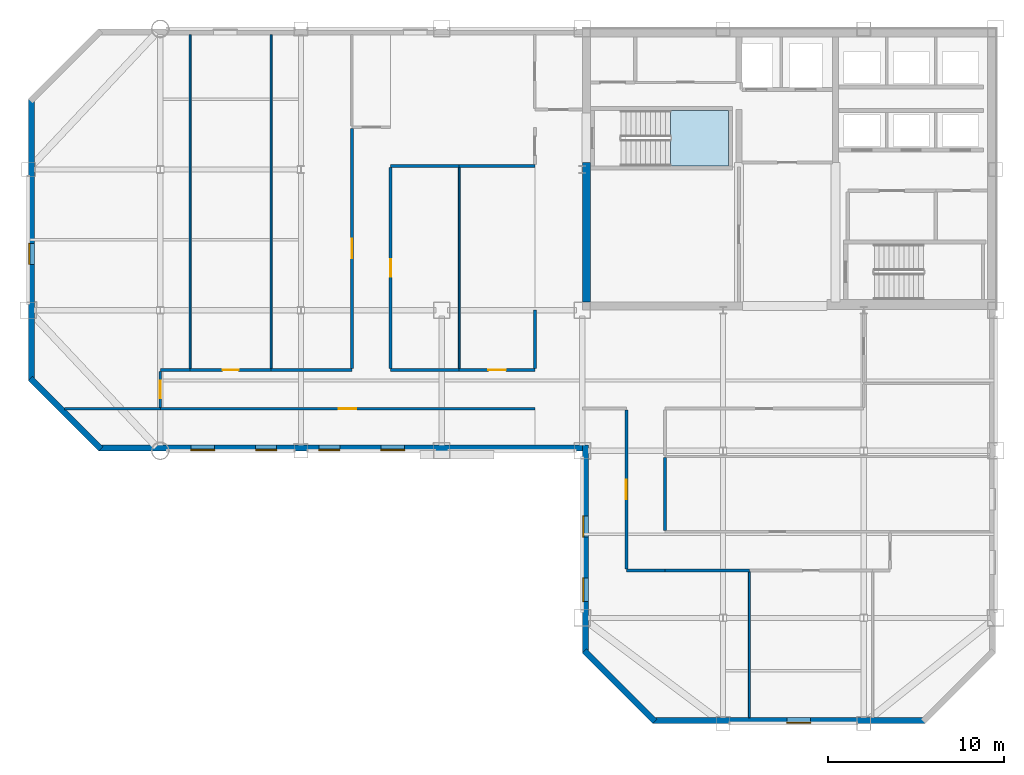
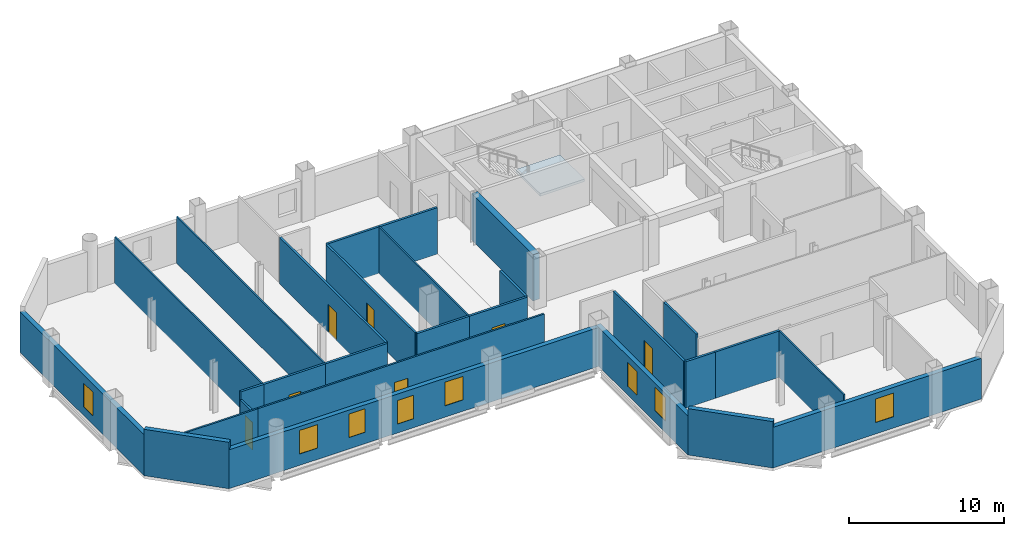
# One storey, part 4 of 11: 28 walls, 8 windows, 7 doors, 1 slab, 15 openings, 1 element without a shape of its own.
"""IFC4 building model written with IfcOpenShell, lengths in metres."""

import ifcopenshell
import ifcopenshell.guid

model = None  # the IFC model being written
_history = None  # IfcOwnerHistory: only IFC2X3 demands one
_inside = {}  # id of a spatial element -> (the spatial element, [elements in it])
_under = {}  # id of a project, library or spatial element -> (it, [spatial elements below it])
_declared = {}  # id of a project -> (the project, [libraries it declares])
_typed = {}  # id of a type object -> (the type object, [elements of that type])
_made_of = {}  # id of a material, layer set ... -> (it, [elements and type objects made of it])


def new_model(schema):
    """Start an empty IFC model of exactly this schema.

    Asked for "IFC4X3", IfcOpenShell would pick the latest addendum, in which some entities
    have other attributes; the version numbers below select the first issue.
    IFC2X3 requires an IfcOwnerHistory on every rooted entity: one is made here for all.
    """
    global model, _history
    if schema == "IFC4X3":
        model = ifcopenshell.file(schema_version=(4, 3, 0, 0))
    else:
        model = ifcopenshell.file(schema=schema)
    _inside.clear()
    _under.clear()
    _declared.clear()
    _typed.clear()
    _made_of.clear()
    _history = None
    if model.schema == "IFC2X3":
        org = make("IfcOrganization", Name="unknown")
        user = make(
            "IfcPersonAndOrganization",
            ThePerson=make("IfcPerson", FamilyName="unknown"),
            TheOrganization=org,
        )
        app = make(
            "IfcApplication",
            ApplicationDeveloper=org,
            Version="unknown",
            ApplicationFullName="unknown",
            ApplicationIdentifier="unknown",
        )
        _history = make(
            "IfcOwnerHistory",
            OwningUser=user,
            OwningApplication=app,
            ChangeAction="ADDED",
            CreationDate=0,
        )
    return model


def make(cls, **values):
    """One entity of the class cls with the attributes given. An attribute that is None is left unset."""
    return model.create_entity(
        cls, **{name: value for name, value in values.items() if value is not None}
    )


def rooted(cls, **values):
    """An entity with a GlobalId (a new one), such as an element, a storey or a relation."""
    return make(cls, GlobalId=ifcopenshell.guid.new(), OwnerHistory=_history, **values)


def si_unit(unit_type, name, prefix=None):
    """IfcSIUnit, for example si_unit("LENGTHUNIT", "METRE", prefix="MILLI")."""
    return make("IfcSIUnit", UnitType=unit_type, Prefix=prefix, Name=name)


def assignment(units):
    """IfcUnitAssignment: the units of a project."""
    return None if units is None else make("IfcUnitAssignment", Units=units)


def point(xyz):
    """IfcCartesianPoint."""
    return None if xyz is None else make("IfcCartesianPoint", Coordinates=xyz)


def direction(xyz):
    """IfcDirection."""
    return None if xyz is None else make("IfcDirection", DirectionRatios=xyz)


def frame(location, z_axis=None, x_axis=None):
    """IfcAxis2Placement3D, a coordinate frame: its origin and axes. An axis left out is left unset."""
    return make(
        "IfcAxis2Placement3D",
        Location=point(location),
        Axis=direction(z_axis),
        RefDirection=direction(x_axis),
    )


def frame_2d(location, x_axis=None):
    """IfcAxis2Placement2D, a coordinate frame in the plane: its origin and x axis."""
    return make(
        "IfcAxis2Placement2D", Location=point(location), RefDirection=direction(x_axis)
    )


def origin():
    """The frame at (0, 0, 0) with its axes left unset."""
    return frame((0.0, 0.0, 0.0))


def place(relative_to, where):
    """IfcLocalPlacement: puts the frame where relative to a parent placement (None: the world)."""
    return make(
        "IfcLocalPlacement", PlacementRelTo=relative_to, RelativePlacement=where
    )


def context(
    kind, dimensions, precision=None, world=None, true_north=None, identifier=None
):
    """IfcGeometricRepresentationContext, for example the 3D "Model" context."""
    return make(
        "IfcGeometricRepresentationContext",
        ContextIdentifier=identifier,
        ContextType=kind,
        CoordinateSpaceDimension=dimensions,
        Precision=precision,
        WorldCoordinateSystem=world,
        TrueNorth=true_north,
    )


def subcontext(parent, identifier, kind, view, scale=None):
    """IfcGeometricRepresentationSubContext, for example "Body" below "Model"."""
    return make(
        "IfcGeometricRepresentationSubContext",
        ContextIdentifier=identifier,
        ContextType=kind,
        ParentContext=parent,
        TargetScale=scale,
        TargetView=view,
    )


def project(units=None, contexts=None):
    """IfcProject with its units and contexts."""
    return rooted(
        "IfcProject",
        Name="project",
        RepresentationContexts=contexts,
        UnitsInContext=assignment(units),
    )


def spatial(cls, under=None, at=None, **own):
    """A site, building, storey or space (cls), placed at a placement, below another one or the project."""
    s = rooted(cls, ObjectPlacement=at, **own)
    if under is not None:
        _under.setdefault(under.id(), (under, []))[1].append(s)
    return s


def polyline(points):
    """IfcPolyline through the points."""
    return make("IfcPolyline", Points=[point(p) for p in points])


def profile(cls, at=None, kind="AREA", **sizes):
    """A parametric profile (cls). Its sizes go by their IFC names, for example OverallWidth=200.0."""
    return make(cls, ProfileType=kind, Position=at, **sizes)


def rectangle(**sizes):
    """IfcRectangleProfileDef."""
    return profile("IfcRectangleProfileDef", **sizes)


def outline(outer, holes=None, kind="AREA"):
    """IfcArbitraryClosedProfileDef: a profile drawn as a closed curve; with holes, ...WithVoids."""
    if holes is None:
        return make("IfcArbitraryClosedProfileDef", ProfileType=kind, OuterCurve=outer)
    return make(
        "IfcArbitraryProfileDefWithVoids",
        ProfileType=kind,
        OuterCurve=outer,
        InnerCurves=holes,
    )


def extrude(swept, where, along, depth):
    """IfcExtrudedAreaSolid: the profile swept, set in the frame where, extruded along a direction by depth."""
    return make(
        "IfcExtrudedAreaSolid",
        SweptArea=swept,
        Position=where,
        ExtrudedDirection=direction(along),
        Depth=depth,
    )


def shape(context_of_items, identifier, shape_type, items):
    """IfcShapeRepresentation: the items that make up one representation, for example the "Body"."""
    return make(
        "IfcShapeRepresentation",
        ContextOfItems=context_of_items,
        RepresentationIdentifier=identifier,
        RepresentationType=shape_type,
        Items=items,
    )


def material(Name=None, Category=None):
    """IfcMaterial."""
    return make("IfcMaterial", Name=Name, Category=Category)


def layer(
    of_material, thickness, ventilated=None, Name=None, Category=None, Priority=None
):
    """IfcMaterialLayer: one layer of a wall or slab, of a material (None: an air gap)."""
    return make(
        "IfcMaterialLayer",
        Material=of_material,
        LayerThickness=thickness,
        IsVentilated=ventilated,
        Name=Name,
        Category=Category,
        Priority=Priority,
    )


def layer_set(layers, Name=None):
    """IfcMaterialLayerSet."""
    return make("IfcMaterialLayerSet", MaterialLayers=layers, LayerSetName=Name)


def made_of(thing, what):
    """Note that an element or type object is made of a material, layer set ...; save() writes the relation."""
    if what is not None:
        _made_of.setdefault(what.id(), (what, []))[1].append(thing)
    return thing


def type_object(cls, material=None, **own):
    """A type object (cls), such as IfcWallType, which elements share."""
    return made_of(rooted(cls, **own), material)


def element(
    cls,
    number,
    at=None,
    inside=None,
    cuts=None,
    type_object=None,
    material=None,
    context=None,
    identifier="Body",
    shape_type=None,
    held_by="IfcProductDefinitionShape",
    body=None,
    shapes=None,
    **own,
):
    """One element of the class cls, such as IfcWall. Its Tag is "e" and its number.

    at: its placement. inside: the storey or other place that contains it. cuts: it is an
    opening in that element (IfcRelVoidsElement). A single representation is given by context,
    identifier, shape_type and body (its items); several are given by shapes. held_by: the class
    of the entity that holds the representations. save() writes the other relations.
    """
    e = rooted(cls, Tag="e%d" % number, ObjectPlacement=at, **own)
    if body is not None:
        shapes = [shape(context, identifier, shape_type, body)]
    if shapes is not None:
        e.Representation = make(held_by, Representations=shapes)
    if inside is not None:
        _inside.setdefault(inside.id(), (inside, []))[1].append(e)
    if cuts is not None:
        rooted(
            "IfcRelVoidsElement", RelatingBuildingElement=cuts, RelatedOpeningElement=e
        )
    if type_object is not None:
        _typed.setdefault(type_object.id(), (type_object, []))[1].append(e)
    return made_of(e, material)


def fill(opening, filler):
    """IfcRelFillsElement: the door or window that sits in an opening."""
    return rooted(
        "IfcRelFillsElement",
        RelatingOpeningElement=opening,
        RelatedBuildingElement=filler,
    )


def aggregate(whole, parts):
    """IfcRelAggregates: a whole, such as a stair, and the parts it consists of."""
    return rooted("IfcRelAggregates", RelatingObject=whole, RelatedObjects=parts)


def save(model, path):
    """Write the relations noted so far, then the file.

    IfcRelAggregates (storeys below a building ...), IfcRelContainedInSpatialStructure (elements
    in a storey), IfcRelDefinesByType, IfcRelAssociatesMaterial and IfcRelDeclares: one each for
    every whole, place, type object, material and project.
    """
    for whole, parts in _under.values():
        aggregate(whole, parts)
    for where, things in _inside.values():
        rooted(
            "IfcRelContainedInSpatialStructure",
            RelatedElements=things,
            RelatingStructure=where,
        )
    for kind, things in _typed.values():
        rooted("IfcRelDefinesByType", RelatedObjects=things, RelatingType=kind)
    for what, things in _made_of.values():
        rooted("IfcRelAssociatesMaterial", RelatedObjects=things, RelatingMaterial=what)
    for by, libraries in _declared.values():
        rooted("IfcRelDeclares", RelatingContext=by, RelatedDefinitions=libraries)
    model.write(path)


model = new_model("IFC4")

# Units and contexts
model_context = context("Model", 3, precision=1e-05, world=origin(), true_north=direction((0.0, 1.0)))
body_context = subcontext(model_context, "Body", "Model", "MODEL_VIEW")
ifc_project = project(units=[si_unit("LENGTHUNIT", "METRE"), si_unit("AREAUNIT", "SQUARE_METRE"), si_unit("VOLUMEUNIT", "CUBIC_METRE"), si_unit("PLANEANGLEUNIT", "RADIAN"), si_unit("MASSUNIT", "GRAM", prefix="KILO")], contexts=[model_context])

# Site, building, storey
site_placement = place(None, origin())
site = spatial("IfcSite", under=ifc_project, at=site_placement, CompositionType="ELEMENT")
building_placement = place(site_placement, origin())
building = spatial("IfcBuilding", under=site, at=building_placement, Name="Qianrong Seaharbour Tower", CompositionType="ELEMENT")
storey_placement = place(building_placement, frame((0.0, 0.0, 277.800048828125)))
storey = spatial("IfcBuildingStorey", under=building, at=storey_placement, Name="L67", CompositionType="ELEMENT", Elevation=277.800048828125)

# Stair, slab
ifc_material_1 = material(Name="Concrete C50/60", Category="concrete")
stair_type = type_object("IfcStairType", Name="STAIR-DOGLEG-1500-R22", PredefinedType="HALF_TURN_STAIR", material=ifc_material_1)
stair_placement = place(storey_placement, origin())
stair = element("IfcStair", 1, at=stair_placement, inside=storey, type_object=stair_type, Name="L67 Protected Escape Stair ST-1", PredefinedType="HALF_TURN_STAIR")
ifc_layer_1 = layer(ifc_material_1, 0.199951171875)
ifc_layer_set_1 = layer_set([ifc_layer_1], Name="Concrete C50/60")
slab_type = type_object("IfcSlabType", Name="SLAB-STAIR-LANDING-200", PredefinedType="LANDING", material=ifc_layer_set_1)
slab_placement = place(storey_placement, frame((0.0, 0.0, 1.800048828125)))
slab = element("IfcSlab", 2, at=slab_placement, type_object=slab_type, Name="ST-1 landing 1", PredefinedType="LANDING", context=body_context, shape_type="SweptSolid", body=[
    extrude(outline(polyline([(45.5, 44.199951171875), (48.800048828125, 44.199951171875), (48.800048828125, 47.35009765625), (45.5, 47.35009765625), (45.5, 44.199951171875)])), origin(), (0.0, 0.0, 1.0), 0.199951171875),
])
aggregate(stair, [slab])

# Wall
ifc_material_2 = material(Name="Concrete C60/75", Category="concrete")
ifc_layer_2 = layer(ifc_material_2, 0.4599609375)
ifc_layer_set_2 = layer_set([ifc_layer_2], Name="Concrete C60/75")
wall_type_1 = type_object("IfcWallType", Name="WALL-CORE-460", PredefinedType="SHEAR", material=ifc_layer_set_2)
wall_1_placement = place(storey_placement, frame((40.72998046875, 36.4599609375, 0.0), z_axis=(0.0, 0.0, 1.0), x_axis=(0.0, 1.0, 0.0)))
element("IfcWall", 3, at=wall_1_placement, inside=storey, type_object=wall_type_1, Name="L67 West Core Shear Wall South", PredefinedType="SHEAR", context=body_context, shape_type="SweptSolid", body=[
    extrude(rectangle(XDim=7.93994140625, YDim=0.4599609375, at=frame_2d((3.969970703125, 0.0))), origin(), (0.0, 0.0, 1.0), 3.64990234375),
])

# Wall, opening, door
ifc_material_3 = material(Name="Fire-rated acoustic gypsum board partition")
ifc_layer_3 = layer(ifc_material_3, 0.1650390625)
ifc_layer_set_3 = layer_set([ifc_layer_3], Name="Fire-rated acoustic gypsum board partition")
wall_type_2 = type_object("IfcWallType", Name="WALL-CORR-PART-165", PredefinedType="PARTITIONING", material=ifc_layer_set_3)
wall_2_placement = place(storey_placement, frame((16.5, 30.45703125, 0.0), z_axis=(0.0, 0.0, 1.0), x_axis=(0.0, 1.0, 0.0)))
wall_2 = element("IfcWall", 4, at=wall_2_placement, inside=storey, type_object=wall_type_2, Name="L67 Interior Partition Wall 013", PredefinedType="PARTITIONING", context=body_context, shape_type="SweptSolid", body=[
    extrude(rectangle(XDim=2.068359375, YDim=0.1650390625, at=frame_2d((1.0341796875, 0.0))), origin(), (0.0, 0.0, 1.0), 3.053955078125),
])
opening_1_placement = place(wall_2_placement, frame((0.5341796875, 0.0, 0.0)))
opening_1 = element("IfcOpeningElement", 5, at=opening_1_placement, cuts=wall_2, Name="Opening DO-01", PredefinedType="OPENING", context=body_context, shape_type="SweptSolid", body=[
    extrude(rectangle(XDim=1.0, YDim=2.14990234375, at=frame_2d((0.5, 1.074951171875))), frame((0.0, 0.092529296875, 0.0), z_axis=(0.0, -1.0, 0.0), x_axis=(1.0, 0.0, 0.0)), (0.0, 0.0, 1.0), 0.18505859375),
])
ifc_material_4 = material(Name="Acoustic timber and galvanized steel fire door assembly", Category="steel")
door_type_1 = type_object("IfcDoorType", Name="DOOR-OFFICE-1000x2150", OperationType="NOTDEFINED", PredefinedType="DOOR", material=ifc_material_4)
door_1_placement = place(opening_1_placement, origin())
door_1 = element("IfcDoor", 6, at=door_1_placement, inside=storey, type_object=door_type_1, Name="L67 Legal Support Open-Plan Office Door", OperationType="SINGLE_SWING_RIGHT", OverallHeight=2.14990234375, OverallWidth=1.0, PredefinedType="DOOR", context=body_context, shape_type="SweptSolid", body=[
    extrude(rectangle(XDim=1.0, YDim=2.14990234375, at=frame_2d((0.5, 1.074951171875))), frame((0.0, 0.02490234375, 0.0), z_axis=(0.0, -1.0, 0.0), x_axis=(1.0, 0.0, 0.0)), (0.0, 0.0, 1.0), 0.050048828125),
])
fill(opening_1, door_1)

# Wall
wall_3_placement = place(storey_placement, frame((16.5, 32.60009765625, 0.0), z_axis=(0.0, 0.0, 1.0), x_axis=(1.0, 0.0, 0.0)))
element("IfcWall", 7, at=wall_3_placement, inside=storey, type_object=wall_type_2, Name="L67 Interior Partition Wall 014", PredefinedType="PARTITIONING", context=body_context, shape_type="SweptSolid", body=[
    extrude(rectangle(XDim=1.699951171875, YDim=0.1650390625, at=frame_2d((0.85009765625, 0.0))), origin(), (0.0, 0.0, 1.0), 3.64990234375),
])

# Wall, opening, door
wall_4_placement = place(storey_placement, frame((18.199951171875, 32.60009765625, 0.0), z_axis=(0.0, 0.0, 1.0), x_axis=(1.0, 0.0, 0.0)))
wall_4 = element("IfcWall", 8, at=wall_4_placement, inside=storey, type_object=wall_type_2, Name="L67 Interior Partition Wall 015", PredefinedType="PARTITIONING", context=body_context, shape_type="SweptSolid", body=[
    extrude(rectangle(XDim=4.60009765625, YDim=0.1650390625, at=frame_2d((2.300048828125, 0.0))), origin(), (0.0, 0.0, 1.0), 3.64990234375),
])
opening_2_placement = place(wall_4_placement, frame((1.85009765625, 0.0, 0.0)))
opening_2 = element("IfcOpeningElement", 9, at=opening_2_placement, cuts=wall_4, Name="Opening DS-01", PredefinedType="OPENING", context=body_context, shape_type="SweptSolid", body=[
    extrude(rectangle(XDim=0.89990234375, YDim=2.14990234375, at=frame_2d((0.449951171875, 1.074951171875))), frame((0.0, 0.092529296875, 0.0), z_axis=(0.0, -1.0, 0.0), x_axis=(1.0, 0.0, 0.0)), (0.0, 0.0, 1.0), 0.18505859375),
])
door_type_2 = type_object("IfcDoorType", Name="DOOR-STORE-900x2150", OperationType="NOTDEFINED", PredefinedType="DOOR", material=ifc_material_4)
door_2_placement = place(opening_2_placement, origin())
door_2 = element("IfcDoor", 10, at=door_2_placement, inside=storey, type_object=door_type_2, Name="L67 Corporate Archive Room 1 Door", OperationType="SINGLE_SWING_LEFT", OverallHeight=2.14990234375, OverallWidth=0.89990234375, PredefinedType="DOOR", context=body_context, shape_type="SweptSolid", body=[
    extrude(rectangle(XDim=0.89990234375, YDim=2.14990234375, at=frame_2d((0.449951171875, 1.074951171875))), frame((0.0, 0.02490234375, 0.0), z_axis=(0.0, -1.0, 0.0), x_axis=(1.0, 0.0, 0.0)), (0.0, 0.0, 1.0), 0.050048828125),
])
fill(opening_2, door_2)

# Walls
wall_5_placement = place(storey_placement, frame((22.800048828125, 32.60009765625, 0.0), z_axis=(0.0, 0.0, 1.0), x_axis=(1.0, 0.0, 0.0)))
element("IfcWall", 11, at=wall_5_placement, inside=storey, type_object=wall_type_2, Name="L67 Interior Partition Wall 016", PredefinedType="PARTITIONING", context=body_context, shape_type="SweptSolid", body=[
    extrude(rectangle(XDim=4.599853515625, YDim=0.1650390625, at=frame_2d((2.2998046875, 0.0))), origin(), (0.0, 0.0, 1.0), 3.64990234375),
])
wall_6_placement = place(storey_placement, frame((29.60009765625, 32.60009765625, 0.0), z_axis=(0.0, 0.0, 1.0), x_axis=(1.0, 0.0, 0.0)))
element("IfcWall", 12, at=wall_6_placement, inside=storey, type_object=wall_type_2, Name="L67 Interior Partition Wall 017", PredefinedType="PARTITIONING", context=body_context, shape_type="SweptSolid", body=[
    extrude(rectangle(XDim=3.89990234375, YDim=0.1650390625, at=frame_2d((1.949951171875, 0.0))), origin(), (0.0, 0.0, 1.0), 3.64990234375),
])

# Wall, opening, door
wall_7_placement = place(storey_placement, frame((33.5, 32.60009765625, 0.0), z_axis=(0.0, 0.0, 1.0), x_axis=(1.0, 0.0, 0.0)))
wall_7 = element("IfcWall", 13, at=wall_7_placement, inside=storey, type_object=wall_type_2, Name="L67 Interior Partition Wall 018", PredefinedType="PARTITIONING", context=body_context, shape_type="SweptSolid", body=[
    extrude(rectangle(XDim=4.300048828125, YDim=0.1650390625, at=frame_2d((2.14990234375, 0.0))), origin(), (0.0, 0.0, 1.0), 3.64990234375),
])
opening_3_placement = place(wall_7_placement, frame((1.64990234375, 0.0, 0.0)))
opening_3 = element("IfcOpeningElement", 14, at=opening_3_placement, cuts=wall_7, Name="Opening DO-01", PredefinedType="OPENING", context=body_context, shape_type="SweptSolid", body=[
    extrude(rectangle(XDim=1.0, YDim=2.14990234375, at=frame_2d((0.5, 1.074951171875))), frame((0.0, 0.092529296875, 0.0), z_axis=(0.0, -1.0, 0.0), x_axis=(1.0, 0.0, 0.0)), (0.0, 0.0, 1.0), 0.18505859375),
])
door_3_placement = place(opening_3_placement, origin())
door_3 = element("IfcDoor", 15, at=door_3_placement, inside=storey, type_object=door_type_1, Name="L67 Focus Room 3 Door", OperationType="SINGLE_SWING_LEFT", OverallHeight=2.14990234375, OverallWidth=1.0, PredefinedType="DOOR", context=body_context, shape_type="SweptSolid", body=[
    extrude(rectangle(XDim=1.0, YDim=2.14990234375, at=frame_2d((0.5, 1.074951171875))), frame((0.0, 0.02490234375, 0.0), z_axis=(0.0, -1.0, 0.0), x_axis=(1.0, 0.0, 0.0)), (0.0, 0.0, 1.0), 0.050048828125),
])
fill(opening_3, door_3)

wall_8_placement = place(storey_placement, frame((27.39990234375, 32.674560546875, 0.0), z_axis=(0.0, 0.0, 1.0), x_axis=(0.0, 1.0, 0.0)))
wall_8 = element("IfcWall", 16, at=wall_8_placement, inside=storey, type_object=wall_type_2, Name="L67 Interior Partition Wall 020", PredefinedType="PARTITIONING", context=body_context, shape_type="SweptSolid", body=[
    extrude(rectangle(XDim=13.65087890625, YDim=0.1650390625, at=frame_2d((6.825439453125, 0.0))), origin(), (0.0, 0.0, 1.0), 3.64990234375),
])
opening_4_placement = place(wall_8_placement, frame((6.275390625, 0.0, 0.0)))
opening_4 = element("IfcOpeningElement", 17, at=opening_4_placement, cuts=wall_8, Name="Opening DM-01", PredefinedType="OPENING", context=body_context, shape_type="SweptSolid", body=[
    extrude(rectangle(XDim=1.10009765625, YDim=2.199951171875, at=frame_2d((0.550048828125, 1.10009765625))), frame((0.0, 0.092529296875, 0.0), z_axis=(0.0, -1.0, 0.0), x_axis=(1.0, 0.0, 0.0)), (0.0, 0.0, 1.0), 0.18505859375),
])
door_type_3 = type_object("IfcDoorType", Name="DOOR-MEET-1100x2200", OperationType="NOTDEFINED", PredefinedType="DOOR", material=ifc_material_4)
door_4_placement = place(opening_4_placement, origin())
door_4 = element("IfcDoor", 18, at=door_4_placement, inside=storey, type_object=door_type_3, Name="L67 Boardroom 2 Door", OperationType="SINGLE_SWING_RIGHT", OverallHeight=2.199951171875, OverallWidth=1.10009765625, PredefinedType="DOOR", context=body_context, shape_type="SweptSolid", body=[
    extrude(rectangle(XDim=1.10009765625, YDim=2.199951171875, at=frame_2d((0.550048828125, 1.10009765625))), frame((0.0, 0.02490234375, 0.0), z_axis=(0.0, -1.0, 0.0), x_axis=(1.0, 0.0, 0.0)), (0.0, 0.0, 1.0), 0.050048828125),
])
fill(opening_4, door_4)

wall_9_placement = place(storey_placement, frame((29.60009765625, 44.12548828125, 0.0), z_axis=(0.0, 0.0, 1.0), x_axis=(0.0, -1.0, 0.0)))
wall_9 = element("IfcWall", 19, at=wall_9_placement, inside=storey, type_object=wall_type_2, Name="L67 Interior Partition Wall 022", PredefinedType="PARTITIONING", context=body_context, shape_type="SweptSolid", body=[
    extrude(rectangle(XDim=11.450927734375, YDim=0.1650390625, at=frame_2d((5.7255859375, 0.0))), origin(), (0.0, 0.0, 1.0), 3.64990234375),
])
opening_5_placement = place(wall_9_placement, frame((5.235595703125, 0.0, 0.0)))
opening_5 = element("IfcOpeningElement", 20, at=opening_5_placement, cuts=wall_9, Name="Opening DE-01", PredefinedType="OPENING", context=body_context, shape_type="SweptSolid", body=[
    extrude(rectangle(XDim=0.97998046875, YDim=2.25, at=frame_2d((0.489990234375, 1.125))), frame((0.0, 0.092529296875, 0.0), z_axis=(0.0, -1.0, 0.0), x_axis=(1.0, 0.0, 0.0)), (0.0, 0.0, 1.0), 0.18505859375),
])
door_type_4 = type_object("IfcDoorType", Name="DOOR-EXEC-980x2250", OperationType="NOTDEFINED", PredefinedType="DOOR", material=ifc_material_4)
door_5_placement = place(opening_5_placement, origin())
door_5 = element("IfcDoor", 21, at=door_5_placement, inside=storey, type_object=door_type_4, Name="L67 Partner Chambers Office 2 Door", OperationType="SINGLE_SWING_RIGHT", OverallHeight=2.25, OverallWidth=0.97998046875, PredefinedType="DOOR", context=body_context, shape_type="SweptSolid", body=[
    extrude(rectangle(XDim=0.97998046875, YDim=2.25, at=frame_2d((0.489990234375, 1.125))), frame((0.0, 0.02490234375, 0.0), z_axis=(0.0, -1.0, 0.0), x_axis=(1.0, 0.0, 0.0)), (0.0, 0.0, 1.0), 0.050048828125),
])
fill(opening_5, door_5)

# Walls
wall_10_placement = place(storey_placement, frame((33.5, 44.199951171875, 0.0), z_axis=(0.0, 0.0, 1.0), x_axis=(-1.0, 0.0, 0.0)))
element("IfcWall", 22, at=wall_10_placement, inside=storey, type_object=wall_type_2, Name="L67 Interior Partition Wall 023", PredefinedType="PARTITIONING", context=body_context, shape_type="SweptSolid", body=[
    extrude(rectangle(XDim=3.89990234375, YDim=0.1650390625, at=frame_2d((1.949951171875, 0.0))), origin(), (0.0, 0.0, 1.0), 3.64990234375),
])
wall_11_placement = place(storey_placement, frame((37.800048828125, 44.199951171875, 0.0), z_axis=(0.0, 0.0, 1.0), x_axis=(-1.0, 0.0, 0.0)))
element("IfcWall", 23, at=wall_11_placement, inside=storey, type_object=wall_type_2, Name="L67 Interior Partition Wall 024", PredefinedType="PARTITIONING", context=body_context, shape_type="SweptSolid", body=[
    extrude(rectangle(XDim=4.300048828125, YDim=0.1650390625, at=frame_2d((2.14990234375, 0.0))), origin(), (0.0, 0.0, 1.0), 3.64990234375),
])
wall_12_placement = place(storey_placement, frame((37.800048828125, 32.674560546875, 0.0), z_axis=(0.0, 0.0, 1.0), x_axis=(0.0, 1.0, 0.0)))
element("IfcWall", 24, at=wall_12_placement, inside=storey, type_object=wall_type_2, Name="L67 Interior Partition Wall 025", PredefinedType="PARTITIONING", context=body_context, shape_type="SweptSolid", body=[
    extrude(rectangle(XDim=3.325439453125, YDim=0.1650390625, at=frame_2d((1.66259765625, 0.0))), origin(), (0.0, 0.0, 1.0), 3.64990234375),
])
wall_13_placement = place(storey_placement, frame((45.199951171875, 27.633056640625, 0.0), z_axis=(0.0, 0.0, 1.0), x_axis=(0.0, -1.0, 0.0)))
element("IfcWall", 25, at=wall_13_placement, inside=storey, type_object=wall_type_2, Name="L67 Interior Partition Wall 030", PredefinedType="PARTITIONING", context=body_context, shape_type="SweptSolid", body=[
    extrude(rectangle(XDim=4.158447265625, YDim=0.1650390625, at=frame_2d((2.0791015625, 0.0))), origin(), (0.0, 0.0, 1.0), 3.64990234375),
])
wall_14_placement = place(storey_placement, frame((45.199951171875, 21.199951171875, 0.0), z_axis=(0.0, 0.0, 1.0), x_axis=(-1.0, 0.0, 0.0)))
element("IfcWall", 26, at=wall_14_placement, inside=storey, type_object=wall_type_2, Name="L67 Interior Partition Wall 032", PredefinedType="PARTITIONING", context=body_context, shape_type="SweptSolid", body=[
    extrude(rectangle(XDim=2.199951171875, YDim=0.1650390625, at=frame_2d((1.10009765625, 0.0))), origin(), (0.0, 0.0, 1.0), 3.64990234375),
])

# Wall, opening, door
wall_15_placement = place(storey_placement, frame((43.0, 21.2744140625, 0.0), z_axis=(0.0, 0.0, 1.0), x_axis=(0.0, 1.0, 0.0)))
wall_15 = element("IfcWall", 27, at=wall_15_placement, inside=storey, type_object=wall_type_2, Name="L67 Interior Partition Wall 033", PredefinedType="PARTITIONING", context=body_context, shape_type="SweptSolid", body=[
    extrude(rectangle(XDim=9.051025390625, YDim=0.1650390625, at=frame_2d((4.525390625, 0.0))), origin(), (0.0, 0.0, 1.0), 3.64990234375),
])
opening_6_placement = place(wall_15_placement, frame((3.9755859375, 0.0, 0.0)))
opening_6 = element("IfcOpeningElement", 28, at=opening_6_placement, cuts=wall_15, Name="Opening DM-01", PredefinedType="OPENING", context=body_context, shape_type="SweptSolid", body=[
    extrude(rectangle(XDim=1.10009765625, YDim=2.199951171875, at=frame_2d((0.550048828125, 1.10009765625))), frame((0.0, 0.092529296875, 0.0), z_axis=(0.0, -1.0, 0.0), x_axis=(1.0, 0.0, 0.0)), (0.0, 0.0, 1.0), 0.18505859375),
])
door_6_placement = place(opening_6_placement, origin())
door_6 = element("IfcDoor", 29, at=door_6_placement, inside=storey, type_object=door_type_3, Name="L67 Mediation Meeting Room 1 Door", OperationType="SINGLE_SWING_RIGHT", OverallHeight=2.199951171875, OverallWidth=1.10009765625, PredefinedType="DOOR", context=body_context, shape_type="SweptSolid", body=[
    extrude(rectangle(XDim=1.10009765625, YDim=2.199951171875, at=frame_2d((0.550048828125, 1.10009765625))), frame((0.0, 0.02490234375, 0.0), z_axis=(0.0, -1.0, 0.0), x_axis=(1.0, 0.0, 0.0)), (0.0, 0.0, 1.0), 0.050048828125),
])
fill(opening_6, door_6)

# Walls
wall_16_placement = place(storey_placement, frame((50.0, 21.199951171875, 0.0), z_axis=(0.0, 0.0, 1.0), x_axis=(-1.0, 0.0, 0.0)))
element("IfcWall", 30, at=wall_16_placement, inside=storey, type_object=wall_type_2, Name="L67 Interior Partition Wall 035", PredefinedType="PARTITIONING", context=body_context, shape_type="SweptSolid", body=[
    extrude(rectangle(XDim=4.800048828125, YDim=0.1650390625, at=frame_2d((2.39990234375, 0.0))), origin(), (0.0, 0.0, 1.0), 3.64990234375),
])
ifc_material_5 = material(Name="Demountable aluminium-framed acoustic office partition", Category="aluminium")
ifc_layer_4 = layer(ifc_material_5, 0.110107421875)
ifc_layer_set_4 = layer_set([ifc_layer_4], Name="Demountable aluminium-framed acoustic office partition")
wall_type_3 = type_object("IfcWallType", Name="WALL-DEMOUNT-110", PredefinedType="MOVABLE", material=ifc_layer_set_4)
for number, where, z_axis, x_axis, name in (
    (31, (18.199951171875, 51.66796875, 0.0), (0.0, 0.0, 1.0), (0.0, -1.0, 0.0), "L67 Interior Partition Wall 039"),
    (32, (22.800048828125, 51.66796875, 0.0), (0.0, 0.0, 1.0), (0.0, -1.0, 0.0), "L67 Interior Partition Wall 041"),
):
    element("IfcWall", number, at=place(storey_placement, frame(where, z_axis=z_axis, x_axis=x_axis)), inside=storey, type_object=wall_type_3, Name=name, PredefinedType="MOVABLE", context=body_context, shape_type="SweptSolid", body=[
        extrude(rectangle(XDim=18.993408203125, YDim=0.110107421875, at=frame_2d((9.49658203125, 0.0))), origin(), (0.0, 0.0, 1.0), 3.64990234375),
    ])
wall_17_placement = place(storey_placement, frame((33.5, 44.12548828125, 0.0), z_axis=(0.0, 0.0, 1.0), x_axis=(0.0, -1.0, 0.0)))
element("IfcWall", 33, at=wall_17_placement, inside=storey, type_object=wall_type_3, Name="L67 Interior Partition Wall 043", PredefinedType="MOVABLE", context=body_context, shape_type="SweptSolid", body=[
    extrude(rectangle(XDim=11.450927734375, YDim=0.110107421875, at=frame_2d((5.7255859375, 0.0))), origin(), (0.0, 0.0, 1.0), 3.64990234375),
])
wall_18_placement = place(storey_placement, frame((50.0, 21.12548828125, 0.0), z_axis=(0.0, 0.0, 1.0), x_axis=(0.0, -1.0, 0.0)))
element("IfcWall", 34, at=wall_18_placement, inside=storey, type_object=wall_type_3, Name="L67 Interior Partition Wall 047", PredefinedType="MOVABLE", context=body_context, shape_type="SweptSolid", body=[
    extrude(rectangle(XDim=8.29345703125, YDim=0.110107421875, at=frame_2d((4.146728515625, 0.0))), origin(), (0.0, 0.0, 1.0), 3.64990234375),
])

# Wall, openings, windows
ifc_material_6 = material(Name="Unitised buff brick on Precast concrete C45/55", Category="masonry")
ifc_layer_5 = layer(ifc_material_6, 0.340087890625)
ifc_layer_set_5 = layer_set([ifc_layer_5], Name="Unitised buff brick on Precast concrete C45/55")
wall_type_4 = type_object("IfcWallType", Name="WALL-EXT-BRICK-BUFF-340", PredefinedType="SOLIDWALL", material=ifc_layer_set_5)
wall_19_placement = place(storey_placement, frame((40.669921875, 16.5, 0.0), z_axis=(0.0, 0.0, 1.0), x_axis=(0.0, 1.0, 0.0)))
wall_19 = element("IfcWall", 35, at=wall_19_placement, inside=storey, type_object=wall_type_4, Name="L67 Exterior Masonry Facade Wall REENTRANT_WEST", PredefinedType="SOLIDWALL", context=body_context, shape_type="SweptSolid", body=[
    extrude(rectangle(XDim=11.840087890625, YDim=0.340087890625, at=frame_2d((5.919921875, 0.0))), origin(), (0.0, 0.0, 1.0), 3.06201171875),
])
opening_7_placement = place(wall_19_placement, frame((2.925048828125, 0.0, 0.89990234375)))
opening_7 = element("IfcOpeningElement", 36, at=opening_7_placement, cuts=wall_19, Name="Opening WN-02", PredefinedType="OPENING", context=body_context, shape_type="SweptSolid", body=[
    extrude(rectangle(XDim=1.35009765625, YDim=1.85009765625, at=frame_2d((0.675048828125, 0.925048828125))), frame((0.0, 0.18017578125, 0.0), z_axis=(0.0, -1.0, 0.0), x_axis=(1.0, 0.0, 0.0)), (0.0, 0.0, 1.0), 0.360107421875),
])
opening_8_placement = place(wall_19_placement, frame((6.60009765625, 0.0, 0.699951171875)))
opening_8 = element("IfcOpeningElement", 37, at=opening_8_placement, cuts=wall_19, Name="Opening WN-01", PredefinedType="OPENING", context=body_context, shape_type="SweptSolid", body=[
    extrude(rectangle(XDim=1.199951171875, YDim=1.85009765625, at=frame_2d((0.60009765625, 0.925048828125))), frame((0.0, 0.18017578125, 0.0), z_axis=(0.0, -1.0, 0.0), x_axis=(1.0, 0.0, 0.0)), (0.0, 0.0, 1.0), 0.360107421875),
])
ifc_material_7 = material(Name="Insulated low-e double glazing in thermally broken aluminium 6063-T6 frame", Category="aluminium")
window_type_1 = type_object("IfcWindowType", Name="WIN-PUNCH-1200x1850", PartitioningType="DOUBLE_PANEL_VERTICAL", PredefinedType="WINDOW", material=ifc_material_7)
window_1_placement = place(opening_8_placement, origin())
window_1 = element("IfcWindow", 38, at=window_1_placement, inside=storey, type_object=window_type_1, Name="L67 Deep-Set Punched Window 00.02", OverallHeight=1.85009765625, OverallWidth=1.199951171875, PartitioningType="DOUBLE_PANEL_VERTICAL", PredefinedType="WINDOW", context=body_context, shape_type="SweptSolid", body=[
    extrude(rectangle(XDim=1.199951171875, YDim=1.85009765625, at=frame_2d((0.60009765625, 0.925048828125))), frame((0.0, 0.150146484375, 0.0), z_axis=(0.0, -1.0, 0.0), x_axis=(1.0, 0.0, 0.0)), (0.0, 0.0, 1.0), 0.06005859375),
])
fill(opening_8, window_1)
window_type_2 = type_object("IfcWindowType", Name="WIN-PUNCH-1350x1850", PartitioningType="DOUBLE_PANEL_VERTICAL", PredefinedType="WINDOW", material=ifc_material_7)
window_2_placement = place(opening_7_placement, origin())
window_2 = element("IfcWindow", 39, at=window_2_placement, inside=storey, type_object=window_type_2, Name="L67 Deep-Set Punched Window 00.01", OverallHeight=1.85009765625, OverallWidth=1.35009765625, PartitioningType="DOUBLE_PANEL_VERTICAL", PredefinedType="WINDOW", context=body_context, shape_type="SweptSolid", body=[
    extrude(rectangle(XDim=1.35009765625, YDim=1.85009765625, at=frame_2d((0.675048828125, 0.925048828125))), frame((0.0, 0.150146484375, 0.0), z_axis=(0.0, -1.0, 0.0), x_axis=(1.0, 0.0, 0.0)), (0.0, 0.0, 1.0), 0.06005859375),
])
fill(opening_7, window_2)

wall_20_placement = place(storey_placement, frame((40.52001953125, 28.169921875, 0.0), z_axis=(0.0, 0.0, 1.0), x_axis=(-1.0, 0.0, 0.0)))
wall_20 = element("IfcWall", 40, at=wall_20_placement, inside=storey, type_object=wall_type_4, Name="L67 Exterior Masonry Facade Wall HARBOUR_RIBBON", PredefinedType="SOLIDWALL", context=body_context, shape_type="SweptSolid", body=[
    extrude(rectangle(XDim=27.52001953125, YDim=0.340087890625, at=frame_2d((13.760009765625, 0.0))), origin(), (0.0, 0.0, 1.0), 3.06201171875),
])
opening_9_placement = place(wall_20_placement, frame((10.125, 0.0, 0.89990234375)))
opening_9 = element("IfcOpeningElement", 41, at=opening_9_placement, cuts=wall_20, Name="Opening WN-02", PredefinedType="OPENING", context=body_context, shape_type="SweptSolid", body=[
    extrude(rectangle(XDim=1.35009765625, YDim=1.85009765625, at=frame_2d((0.675048828125, 0.925048828125))), frame((0.0, 0.18017578125, 0.0), z_axis=(0.0, -1.0, 0.0), x_axis=(1.0, 0.0, 0.0)), (0.0, 0.0, 1.0), 0.360107421875),
])
opening_10_placement = place(wall_20_placement, frame((13.800048828125, 0.0, 0.699951171875)))
opening_10 = element("IfcOpeningElement", 42, at=opening_10_placement, cuts=wall_20, Name="Opening WN-01", PredefinedType="OPENING", context=body_context, shape_type="SweptSolid", body=[
    extrude(rectangle(XDim=1.199951171875, YDim=1.85009765625, at=frame_2d((0.60009765625, 0.925048828125))), frame((0.0, 0.18017578125, 0.0), z_axis=(0.0, -1.0, 0.0), x_axis=(1.0, 0.0, 0.0)), (0.0, 0.0, 1.0), 0.360107421875),
])
opening_11_placement = place(wall_20_placement, frame((17.39990234375, 0.0, 0.89990234375)))
opening_11 = element("IfcOpeningElement", 43, at=opening_11_placement, cuts=wall_20, Name="Opening WN-01", PredefinedType="OPENING", context=body_context, shape_type="SweptSolid", body=[
    extrude(rectangle(XDim=1.199951171875, YDim=1.85009765625, at=frame_2d((0.60009765625, 0.925048828125))), frame((0.0, 0.18017578125, 0.0), z_axis=(0.0, -1.0, 0.0), x_axis=(1.0, 0.0, 0.0)), (0.0, 0.0, 1.0), 0.360107421875),
])
opening_12_placement = place(wall_20_placement, frame((20.925048828125, 0.0, 0.89990234375)))
opening_12 = element("IfcOpeningElement", 44, at=opening_12_placement, cuts=wall_20, Name="Opening WN-02", PredefinedType="OPENING", context=body_context, shape_type="SweptSolid", body=[
    extrude(rectangle(XDim=1.35009765625, YDim=1.85009765625, at=frame_2d((0.675048828125, 0.925048828125))), frame((0.0, 0.18017578125, 0.0), z_axis=(0.0, -1.0, 0.0), x_axis=(1.0, 0.0, 0.0)), (0.0, 0.0, 1.0), 0.360107421875),
])
window_3_placement = place(opening_10_placement, origin())
window_3 = element("IfcWindow", 45, at=window_3_placement, inside=storey, type_object=window_type_1, Name="L67 Deep-Set Punched Window 01.04", OverallHeight=1.85009765625, OverallWidth=1.199951171875, PartitioningType="DOUBLE_PANEL_VERTICAL", PredefinedType="WINDOW", context=body_context, shape_type="SweptSolid", body=[
    extrude(rectangle(XDim=1.199951171875, YDim=1.85009765625, at=frame_2d((0.60009765625, 0.925048828125))), frame((0.0, 0.150146484375, 0.0), z_axis=(0.0, -1.0, 0.0), x_axis=(1.0, 0.0, 0.0)), (0.0, 0.0, 1.0), 0.06005859375),
])
fill(opening_10, window_3)
window_4_placement = place(opening_11_placement, origin())
window_4 = element("IfcWindow", 46, at=window_4_placement, inside=storey, type_object=window_type_1, Name="L67 Deep-Set Punched Window 01.05", OverallHeight=1.85009765625, OverallWidth=1.199951171875, PartitioningType="DOUBLE_PANEL_VERTICAL", PredefinedType="WINDOW", context=body_context, shape_type="SweptSolid", body=[
    extrude(rectangle(XDim=1.199951171875, YDim=1.85009765625, at=frame_2d((0.60009765625, 0.925048828125))), frame((0.0, 0.150146484375, 0.0), z_axis=(0.0, -1.0, 0.0), x_axis=(1.0, 0.0, 0.0)), (0.0, 0.0, 1.0), 0.06005859375),
])
fill(opening_11, window_4)
window_5_placement = place(opening_9_placement, origin())
window_5 = element("IfcWindow", 47, at=window_5_placement, inside=storey, type_object=window_type_2, Name="L67 Deep-Set Punched Window 01.03", OverallHeight=1.85009765625, OverallWidth=1.35009765625, PartitioningType="DOUBLE_PANEL_VERTICAL", PredefinedType="WINDOW", context=body_context, shape_type="SweptSolid", body=[
    extrude(rectangle(XDim=1.35009765625, YDim=1.85009765625, at=frame_2d((0.675048828125, 0.925048828125))), frame((0.0, 0.150146484375, 0.0), z_axis=(0.0, -1.0, 0.0), x_axis=(1.0, 0.0, 0.0)), (0.0, 0.0, 1.0), 0.06005859375),
])
fill(opening_9, window_5)
window_6_placement = place(opening_12_placement, origin())
window_6 = element("IfcWindow", 48, at=window_6_placement, inside=storey, type_object=window_type_2, Name="L67 Deep-Set Punched Window 01.06", OverallHeight=1.85009765625, OverallWidth=1.35009765625, PartitioningType="DOUBLE_PANEL_VERTICAL", PredefinedType="WINDOW", context=body_context, shape_type="SweptSolid", body=[
    extrude(rectangle(XDim=1.35009765625, YDim=1.85009765625, at=frame_2d((0.675048828125, 0.925048828125))), frame((0.0, 0.150146484375, 0.0), z_axis=(0.0, -1.0, 0.0), x_axis=(1.0, 0.0, 0.0)), (0.0, 0.0, 1.0), 0.06005859375),
])
fill(opening_12, window_6)

# Wall
wall_21_placement = place(storey_placement, frame((13.1201171875, 28.1201171875, 0.0), z_axis=(0.0, 0.0, 1.0), x_axis=(-0.707106781187, 0.707106781187, 0.0)))
element("IfcWall", 49, at=wall_21_placement, inside=storey, type_object=wall_type_4, Name="L67 Exterior Masonry Facade Wall E02", PredefinedType="SOLIDWALL", context=body_context, shape_type="SweptSolid", body=[
    extrude(rectangle(XDim=5.65673828125, YDim=0.340087890625, at=frame_2d((2.828369140625, 0.0))), origin(), (0.0, 0.0, 1.0), 3.64990234375),
])

# Wall, opening, window
wall_22_placement = place(storey_placement, frame((9.169921875, 32.0, 0.0), z_axis=(0.0, 0.0, 1.0), x_axis=(0.0, 1.0, 0.0)))
wall_22 = element("IfcWall", 50, at=wall_22_placement, inside=storey, type_object=wall_type_4, Name="L67 Exterior Masonry Facade Wall WEST_TIP", PredefinedType="SOLIDWALL", context=body_context, shape_type="SweptSolid", body=[
    extrude(rectangle(XDim=16.0, YDim=0.340087890625, at=frame_2d((8.0, 0.0))), origin(), (0.0, 0.0, 1.0), 3.199951171875),
])
opening_13_placement = place(wall_22_placement, frame((6.60009765625, 0.0, 0.699951171875)))
opening_13 = element("IfcOpeningElement", 51, at=opening_13_placement, cuts=wall_22, Name="Opening WN-01", PredefinedType="OPENING", context=body_context, shape_type="SweptSolid", body=[
    extrude(rectangle(XDim=1.199951171875, YDim=1.85009765625, at=frame_2d((0.60009765625, 0.925048828125))), frame((0.0, 0.18017578125, 0.0), z_axis=(0.0, -1.0, 0.0), x_axis=(1.0, 0.0, 0.0)), (0.0, 0.0, 1.0), 0.360107421875),
])
window_7_placement = place(opening_13_placement, origin())
window_7 = element("IfcWindow", 52, at=window_7_placement, inside=storey, type_object=window_type_1, Name="L67 Deep-Set Punched Window 03.02", OverallHeight=1.85009765625, OverallWidth=1.199951171875, PartitioningType="DOUBLE_PANEL_VERTICAL", PredefinedType="WINDOW", context=body_context, shape_type="SweptSolid", body=[
    extrude(rectangle(XDim=1.199951171875, YDim=1.85009765625, at=frame_2d((0.60009765625, 0.925048828125))), frame((0.0, 0.150146484375, 0.0), z_axis=(0.0, -1.0, 0.0), x_axis=(1.0, 0.0, 0.0)), (0.0, 0.0, 1.0), 0.06005859375),
])
fill(opening_13, window_7)

wall_23_placement = place(storey_placement, frame((60.0, 12.669921875, 0.0), z_axis=(0.0, 0.0, 1.0), x_axis=(-1.0, 0.0, 0.0)))
wall_23 = element("IfcWall", 53, at=wall_23_placement, inside=storey, type_object=wall_type_4, Name="L67 Exterior Masonry Facade Wall SOUTH_TIP", PredefinedType="SOLIDWALL", context=body_context, shape_type="SweptSolid", body=[
    extrude(rectangle(XDim=15.5, YDim=0.340087890625, at=frame_2d((7.75, 0.0))), origin(), (0.0, 0.0, 1.0), 3.199951171875),
])
opening_14_placement = place(wall_23_placement, frame((6.52490234375, 0.0, 0.89990234375)))
opening_14 = element("IfcOpeningElement", 54, at=opening_14_placement, cuts=wall_23, Name="Opening WN-02", PredefinedType="OPENING", context=body_context, shape_type="SweptSolid", body=[
    extrude(rectangle(XDim=1.35009765625, YDim=1.85009765625, at=frame_2d((0.675048828125, 0.925048828125))), frame((0.0, 0.18017578125, 0.0), z_axis=(0.0, -1.0, 0.0), x_axis=(1.0, 0.0, 0.0)), (0.0, 0.0, 1.0), 0.360107421875),
])
window_8_placement = place(opening_14_placement, origin())
window_8 = element("IfcWindow", 55, at=window_8_placement, inside=storey, type_object=window_type_2, Name="L67 Deep-Set Punched Window 08.02", OverallHeight=1.85009765625, OverallWidth=1.35009765625, PartitioningType="DOUBLE_PANEL_VERTICAL", PredefinedType="WINDOW", context=body_context, shape_type="SweptSolid", body=[
    extrude(rectangle(XDim=1.35009765625, YDim=1.85009765625, at=frame_2d((0.675048828125, 0.925048828125))), frame((0.0, 0.150146484375, 0.0), z_axis=(0.0, -1.0, 0.0), x_axis=(1.0, 0.0, 0.0)), (0.0, 0.0, 1.0), 0.06005859375),
])
fill(opening_14, window_8)

# Wall
wall_24_placement = place(storey_placement, frame((44.6201171875, 12.6201171875, 0.0), z_axis=(0.0, 0.0, 1.0), x_axis=(-0.707106781187, 0.707106781187, 0.0)))
element("IfcWall", 56, at=wall_24_placement, inside=storey, type_object=wall_type_4, Name="L67 Exterior Masonry Facade Wall E09", PredefinedType="SOLIDWALL", context=body_context, shape_type="SweptSolid", body=[
    extrude(rectangle(XDim=5.65673828125, YDim=0.340087890625, at=frame_2d((2.828369140625, 0.0))), origin(), (0.0, 0.0, 1.0), 3.64990234375),
])

# Wall, opening, door
ifc_material_8 = material(Name="Water-resistant cement board sanitary partition")
ifc_layer_6 = layer(ifc_material_8, 0.1298828125)
ifc_layer_set_6 = layer_set([ifc_layer_6], Name="Water-resistant cement board sanitary partition")
wall_type_5 = type_object("IfcWallType", Name="WALL-WET-PART-130", PredefinedType="PARTITIONING", material=ifc_layer_set_6)
wall_25_placement = place(storey_placement, frame((37.800048828125, 30.39990234375, 0.0), z_axis=(0.0, 0.0, 1.0), x_axis=(-1.0, 0.0, 0.0)))
wall_25 = element("IfcWall", 57, at=wall_25_placement, inside=storey, type_object=wall_type_5, Name="L67 Interior Partition Wall 019", PredefinedType="PARTITIONING", context=body_context, shape_type="SweptSolid", body=[
    extrude(rectangle(XDim=21.300048828125, YDim=0.1298828125, at=frame_2d((10.64990234375, 0.0))), origin(), (0.0, 0.0, 1.0), 3.64990234375),
])
opening_15_placement = place(wall_25_placement, frame((10.14990234375, 0.0, 0.0)))
opening_15 = element("IfcOpeningElement", 58, at=opening_15_placement, cuts=wall_25, Name="Opening DO-01", PredefinedType="OPENING", context=body_context, shape_type="SweptSolid", body=[
    extrude(rectangle(XDim=1.0, YDim=2.14990234375, at=frame_2d((0.5, 1.074951171875))), frame((0.0, 0.074951171875, 0.0), z_axis=(0.0, -1.0, 0.0), x_axis=(1.0, 0.0, 0.0)), (0.0, 0.0, 1.0), 0.14990234375),
])
door_7_placement = place(opening_15_placement, origin())
door_7 = element("IfcDoor", 59, at=door_7_placement, inside=storey, type_object=door_type_1, Name="L67 Wet Pantry Door", OperationType="SINGLE_SWING_LEFT", OverallHeight=2.14990234375, OverallWidth=1.0, PredefinedType="DOOR", context=body_context, shape_type="SweptSolid", body=[
    extrude(rectangle(XDim=1.0, YDim=2.14990234375, at=frame_2d((0.5, 1.074951171875))), frame((0.0, 0.02490234375, 0.0), z_axis=(0.0, -1.0, 0.0), x_axis=(1.0, 0.0, 0.0)), (0.0, 0.0, 1.0), 0.050048828125),
])
fill(opening_15, door_7)

# Wall
wall_26_placement = place(storey_placement, frame((16.5, 30.39990234375, 0.0), z_axis=(0.0, 0.0, 1.0), x_axis=(-1.0, 0.0, 0.0)))
element("IfcWall", 60, at=wall_26_placement, inside=storey, type_object=wall_type_5, Name="L67 Interior Partition Wall 040", PredefinedType="PARTITIONING", context=body_context, shape_type="SweptSolid", body=[
    extrude(rectangle(XDim=5.430419921875, YDim=0.1298828125, at=frame_2d((2.71533203125, 0.0))), origin(), (0.0, 0.0, 1.0), 3.64990234375),
])

save(model, "model.ifc")
